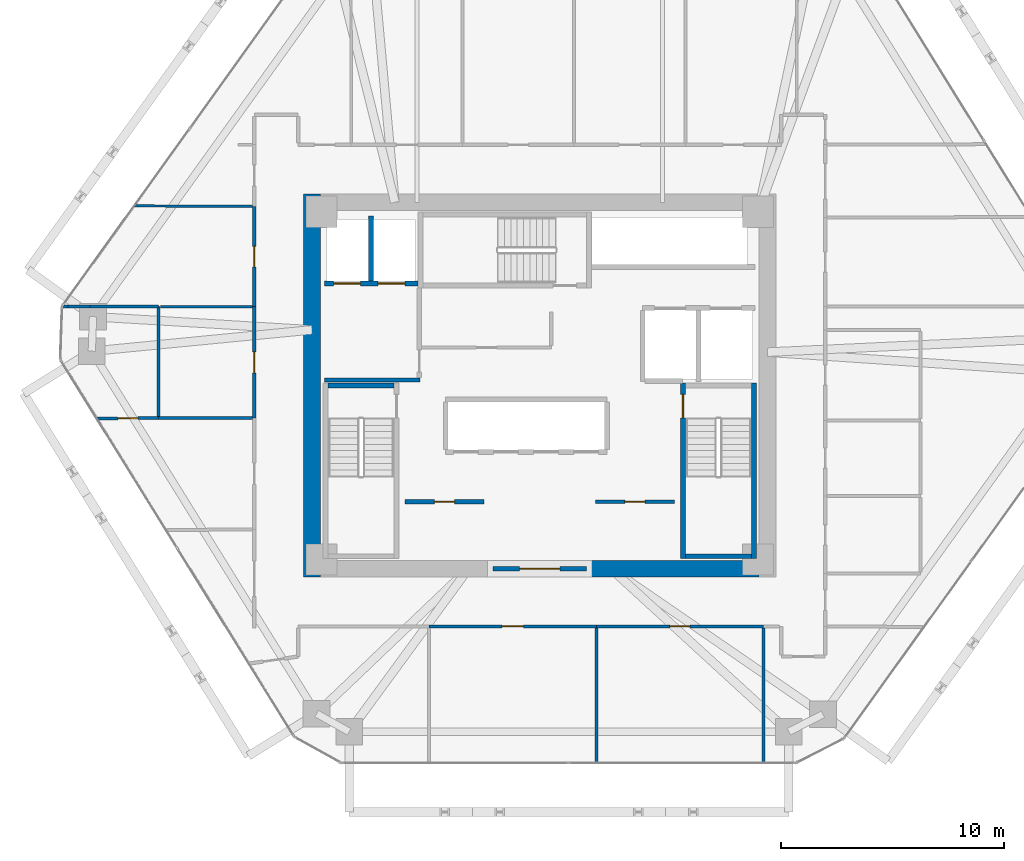
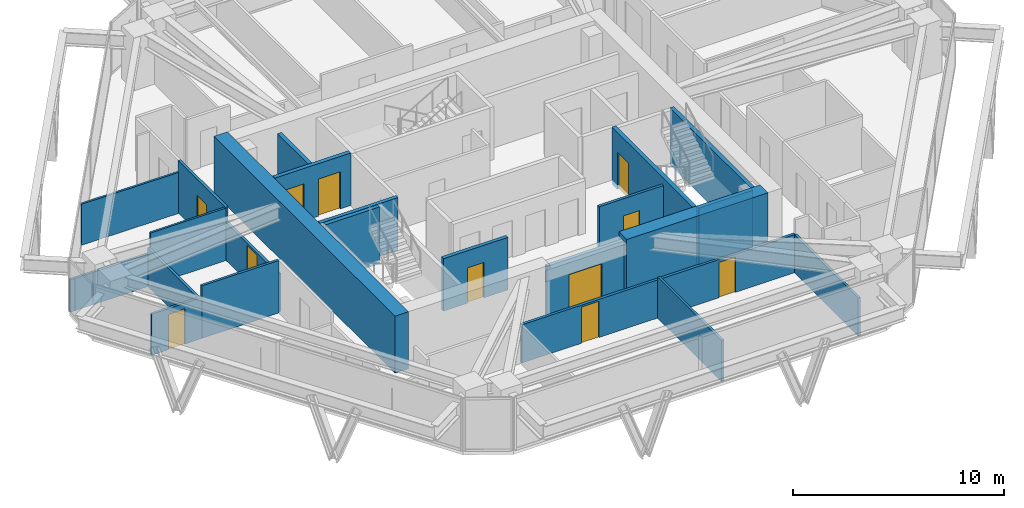
# One storey, part 10 of 14: 26 walls, 11 doors, 11 openings.
"""IFC4 building model written with IfcOpenShell, lengths in metres."""

from ifc_helpers import new_model, si_unit, direction, frame, frame_2d, origin, place, context, subcontext, project, spatial, rectangle, extrude, source, transform, mapped, material, layer, layer_set, type_object, type_shapes, element, fill, save


model = new_model("IFC4")

# Units and contexts
model_context = context("Model", 3, precision=1e-05, world=origin(), true_north=direction((0.0, 1.0)))
body_context = subcontext(model_context, "Body", "Model", "MODEL_VIEW")
ifc_project = project(units=[si_unit("LENGTHUNIT", "METRE"), si_unit("AREAUNIT", "SQUARE_METRE"), si_unit("VOLUMEUNIT", "CUBIC_METRE"), si_unit("PLANEANGLEUNIT", "RADIAN"), si_unit("MASSUNIT", "GRAM", prefix="KILO")], contexts=[model_context])

# Site, building, storey
site_placement = place(None, origin())
site = spatial("IfcSite", under=ifc_project, at=site_placement, CompositionType="ELEMENT")
building_placement = place(site_placement, origin())
building = spatial("IfcBuilding", under=site, at=building_placement, Name="Durnholm Broadcast Tower", CompositionType="ELEMENT")
storey_placement = place(building_placement, frame((0.0, 0.0, 127.199951171875)))
storey = spatial("IfcBuildingStorey", under=building, at=storey_placement, Name="L34", CompositionType="ELEMENT", Elevation=127.199951171875)

# Walls
ifc_material_1 = material(Name="Concrete C70/85", Category="concrete")
ifc_layer_1 = layer(ifc_material_1, 0.75)
ifc_layer_set_1 = layer_set([ifc_layer_1], Name="Concrete C70/85")
wall_type_1 = type_object("IfcWallType", Name="WALL-CW-750", PredefinedType="SHEAR", material=ifc_layer_set_1)
wall_1_placement = place(storey_placement, frame((-10.22509765625, -8.60009765625, 0.0), z_axis=(0.0, 0.0, 1.0), x_axis=(0.0, 1.0, 0.0)))
element("IfcWall", 1, at=wall_1_placement, inside=storey, type_object=wall_type_1, Name="L34 central core shear wall CW-WEST", PredefinedType="SHEAR", context=body_context, shape_type="SweptSolid", body=[
    extrude(rectangle(XDim=17.2001953125, YDim=0.75, at=frame_2d((8.60009765625, 0.0))), origin(), (0.0, 0.0, 1.0), 3.300048828125),
])
wall_2_placement = place(storey_placement, frame((2.10009765625, -8.22509765625, 0.0), z_axis=(0.0, 0.0, 1.0), x_axis=(1.0, 0.0, 0.0)))
element("IfcWall", 2, at=wall_2_placement, inside=storey, type_object=wall_type_1, Name="L34 central core shear wall CW-S2", PredefinedType="SHEAR", context=body_context, shape_type="SweptSolid", body=[
    extrude(rectangle(XDim=7.75, YDim=0.75, at=frame_2d((3.875, 0.0))), origin(), (0.0, 0.0, 1.0), 3.300048828125),
])

# Wall, opening, door
ifc_material_2 = material(Name="Fire-Rated Gypsum Shaftwall", Category="concrete")
ifc_layer_2 = layer(ifc_material_2, 0.199951171875)
ifc_layer_set_2 = layer_set([ifc_layer_2], Name="Fire-Rated Gypsum Shaftwall")
wall_type_2 = type_object("IfcWallType", Name="WALL-LOB-200", PredefinedType="SOLIDWALL", material=ifc_layer_set_2)
wall_3_placement = place(storey_placement, frame((-2.10009765625, -8.22509765625, 0.0), z_axis=(0.0, 0.0, 1.0), x_axis=(1.0, 0.0, 0.0)))
wall_3 = element("IfcWall", 3, at=wall_3_placement, inside=storey, type_object=wall_type_2, Name="L34 south core lobby fire screen", PredefinedType="SOLIDWALL", context=body_context, shape_type="SweptSolid", body=[
    extrude(rectangle(XDim=4.2001953125, YDim=0.199951171875, at=frame_2d((2.10009765625, 0.0))), origin(), (0.0, 0.0, 1.0), 3.045166015625),
])
opening_1_placement = place(wall_3_placement, frame((1.199951171875, 0.0, 0.0)))
opening_1 = element("IfcOpeningElement", 4, at=opening_1_placement, cuts=wall_3, Name="Opening DP-60", PredefinedType="OPENING", context=body_context, shape_type="SweptSolid", body=[
    extrude(rectangle(XDim=1.800048828125, YDim=2.14990234375, at=frame_2d((0.89990234375, 1.074951171875))), frame((0.0, 0.10986328125, 0.0), z_axis=(0.0, -1.0, 0.0), x_axis=(1.0, 0.0, 0.0)), (0.0, 0.0, 1.0), 0.219970703125),
])
ifc_material_3 = material(Name="Fire-Rated Double Corridor Door", Category="steel")
ifc_layer_3 = layer(ifc_material_3, 0.050048828125)
ifc_layer_set_3 = layer_set([ifc_layer_3], Name="Fire-Rated Double Corridor Door")
door_type_1 = type_object("IfcDoorType", Name="DOOR-PAIR-FD60", OperationType="DOUBLE_DOOR_SINGLE_SWING", PredefinedType="DOOR", material=ifc_layer_set_3)
shared_shape_1 = source(origin(), body_context, "Body", "SweptSolid", [
    extrude(rectangle(XDim=1.800048828125, YDim=2.14990234375, at=frame_2d((0.89990234375, 1.074951171875))), frame((0.0, 0.02490234375, 0.0), z_axis=(0.0, -1.0, 0.0), x_axis=(1.0, 0.0, 0.0)), (0.0, 0.0, 1.0), 0.050048828125),
])
type_shapes(door_type_1, [shared_shape_1])
door_1_placement = place(opening_1_placement, origin())
door_1 = element("IfcDoor", 5, at=door_1_placement, inside=storey, type_object=door_type_1, Name="L34 south core lobby double fire door", OperationType="DOUBLE_DOOR_SINGLE_SWING", OverallHeight=2.14990234375, OverallWidth=1.800048828125, PredefinedType="DOOR", context=body_context, shape_type="MappedRepresentation", body=[
    mapped(shared_shape_1, transform((0.0, 0.0, 0.0), x_axis=(1.0, 0.0, 0.0), y_axis=(0.0, 1.0, 0.0), z_axis=(0.0, 0.0, 1.0), scale=1.0)),
])
fill(opening_1, door_1)

# Wall
wall_4_placement = place(storey_placement, frame((-9.64990234375, 0.25, 0.0), z_axis=(0.0, 0.0, 1.0), x_axis=(1.0, 0.0, 0.0)))
element("IfcWall", 6, at=wall_4_placement, inside=storey, type_object=wall_type_2, Name="L34 Fire Service Access Elevator lobby south wall", PredefinedType="SOLIDWALL", context=body_context, shape_type="SweptSolid", body=[
    extrude(rectangle(XDim=4.27001953125, YDim=0.199951171875, at=frame_2d((2.135009765625, 0.0))), origin(), (0.0, 0.0, 1.0), 3.045166015625),
])

# Wall, opening, door
wall_5_placement = place(storey_placement, frame((-6.0400390625, -5.2099609375, 0.0), z_axis=(0.0, 0.0, 1.0), x_axis=(1.0, 0.0, 0.0)))
wall_5 = element("IfcWall", 7, at=wall_5_placement, inside=storey, type_object=wall_type_2, Name="L34 Broadcast Signal Rack Room corridor partition", PredefinedType="SOLIDWALL", context=body_context, shape_type="SweptSolid", body=[
    extrude(rectangle(XDim=3.530029296875, YDim=0.199951171875, at=frame_2d((1.76513671875, 0.0))), origin(), (0.0, 0.0, 1.0), 3.045166015625),
])
opening_2_placement = place(wall_5_placement, frame((1.31494140625, 0.0, 0.0)))
opening_2 = element("IfcOpeningElement", 8, at=opening_2_placement, cuts=wall_5, Name="Opening DC-60R", PredefinedType="OPENING", context=body_context, shape_type="SweptSolid", body=[
    extrude(rectangle(XDim=0.89990234375, YDim=2.050048828125, at=frame_2d((0.449951171875, 1.02490234375))), frame((0.0, 0.10986328125, 0.0), z_axis=(0.0, -1.0, 0.0), x_axis=(1.0, 0.0, 0.0)), (0.0, 0.0, 1.0), 0.219970703125),
])
ifc_material_4 = material(Name="Fire-Rated Core Service Door", Category="steel")
ifc_layer_4 = layer(ifc_material_4, 0.050048828125)
ifc_layer_set_4 = layer_set([ifc_layer_4], Name="Fire-Rated Core Service Door")
door_type_2 = type_object("IfcDoorType", Name="DOOR-CORE-FD60-R", OperationType="NOTDEFINED", PredefinedType="DOOR", material=ifc_layer_set_4)
shared_shape_2 = source(origin(), body_context, "Body", "SweptSolid", [
    extrude(rectangle(XDim=0.89990234375, YDim=2.050048828125, at=frame_2d((0.449951171875, 1.02490234375))), frame((0.0, 0.02490234375, 0.0), z_axis=(0.0, -1.0, 0.0), x_axis=(1.0, 0.0, 0.0)), (0.0, 0.0, 1.0), 0.050048828125),
])
type_shapes(door_type_2, [shared_shape_2])
door_2_placement = place(opening_2_placement, origin())
door_2 = element("IfcDoor", 9, at=door_2_placement, inside=storey, type_object=door_type_2, Name="L34 Broadcast Signal Rack Room entrance door", OperationType="SINGLE_SWING_RIGHT", OverallHeight=2.050048828125, OverallWidth=0.89990234375, PredefinedType="DOOR", context=body_context, shape_type="MappedRepresentation", body=[
    mapped(shared_shape_2, transform((0.0, 0.0, 0.0), x_axis=(1.0, 0.0, 0.0), y_axis=(0.0, 1.0, 0.0), z_axis=(0.0, 0.0, 1.0), scale=1.0)),
])
fill(opening_2, door_2)

# Walls
ifc_material_5 = material(Name="Operable Acoustic Panel Partition", Category="aluminium")
ifc_layer_5 = layer(ifc_material_5, 0.110107421875)
ifc_layer_set_5 = layer_set([ifc_layer_5], Name="Operable Acoustic Panel Partition")
wall_type_3 = type_object("IfcWallType", Name="WALL-MOV-110", PredefinedType="MOVABLE", material=ifc_layer_set_5)
wall_6_placement = place(storey_placement, frame((-17.031494140625, 3.5400390625, 0.0), z_axis=(0.0, 0.0, 1.0), x_axis=(1.0, 0.0, 0.0)))
element("IfcWall", 10, at=wall_6_placement, inside=storey, type_object=wall_type_3, Name="L34 room dividing partition 20.21", PredefinedType="MOVABLE", context=body_context, shape_type="SweptSolid", body=[
    extrude(rectangle(XDim=4.142578125, YDim=0.110107421875, at=frame_2d((2.0712890625, 0.0))), origin(), (0.0, 0.0, 1.0), 3.045166015625),
])
wall_7_placement = place(storey_placement, frame((-18.201904296875, 8.063232421875, 0.0), z_axis=(0.0, 0.0, 1.0), x_axis=(0.999990671281, -0.004319415637, 0.0)))
element("IfcWall", 11, at=wall_7_placement, inside=storey, type_object=wall_type_3, Name="L34 room dividing partition 21.22", PredefinedType="MOVABLE", context=body_context, shape_type="SweptSolid", body=[
    extrude(rectangle(XDim=5.31298828125, YDim=0.110107421875, at=frame_2d((2.656494140625, 0.0))), origin(), (0.0, 0.0, 1.0), 2.380126953125),
])
ifc_material_6 = material(Name="Gypsum Metal Stud Partition", Category="concrete")
ifc_layer_6 = layer(ifc_material_6, 0.135009765625)
ifc_layer_set_6 = layer_set([ifc_layer_6], Name="Gypsum Metal Stud Partition")
wall_type_4 = type_object("IfcWallType", Name="WALL-PART-135", PredefinedType="PARTITIONING", material=ifc_layer_set_6)
wall_8_placement = place(storey_placement, frame((2.5400390625, -10.888916015625, 0.0), z_axis=(0.0, 0.0, 1.0), x_axis=(0.0, -1.0, 0.0)))
element("IfcWall", 12, at=wall_8_placement, inside=storey, type_object=wall_type_4, Name="L34 room dividing partition 14.15", PredefinedType="PARTITIONING", context=body_context, shape_type="SweptSolid", body=[
    extrude(rectangle(XDim=6.048095703125, YDim=0.135009765625, at=frame_2d((3.02392578125, 0.0))), origin(), (0.0, 0.0, 1.0), 2.380126953125),
])
wall_9_placement = place(storey_placement, frame((10.0400390625, -10.888916015625, 0.0), z_axis=(0.0, 0.0, 1.0), x_axis=(0.0, -1.0, 0.0)))
element("IfcWall", 13, at=wall_9_placement, inside=storey, type_object=wall_type_4, Name="L34 room dividing partition 15.16", PredefinedType="PARTITIONING", context=body_context, shape_type="SweptSolid", body=[
    extrude(rectangle(XDim=6.048095703125, YDim=0.135009765625, at=frame_2d((3.02392578125, 0.0))), origin(), (0.0, 0.0, 1.0), 2.212158203125),
])

# Wall, opening, door
wall_10_placement = place(storey_placement, frame((-19.87548828125, -1.481201171875, 0.0), z_axis=(0.0, 0.0, 1.0), x_axis=(0.999970654695, 0.007660923473, 0.0)))
wall_10 = element("IfcWall", 14, at=wall_10_placement, inside=storey, type_object=wall_type_4, Name="L34 room dividing partition 18.19", PredefinedType="PARTITIONING", context=body_context, shape_type="SweptSolid", body=[
    extrude(rectangle(XDim=2.7724609375, YDim=0.135009765625, at=frame_2d((1.38623046875, 0.0))), origin(), (0.0, 0.0, 1.0), 2.380126953125),
])
opening_3_placement = place(wall_10_placement, frame((0.936279296875, 0.0, 0.0)))
opening_3 = element("IfcOpeningElement", 15, at=opening_3_placement, cuts=wall_10, Name="Opening DW-90L", PredefinedType="OPENING", context=body_context, shape_type="SweptSolid", body=[
    extrude(rectangle(XDim=0.89990234375, YDim=2.050048828125, at=frame_2d((0.449951171875, 1.02490234375))), frame((0.0, 0.07763671875, 0.0), z_axis=(0.0, -1.0, 0.0), x_axis=(1.0, 0.0, 0.0)), (0.0, 0.0, 1.0), 0.155029296875),
])
ifc_material_7 = material(Name="Laminate Restroom Door", Category="steel")
ifc_layer_7 = layer(ifc_material_7, 0.050048828125)
ifc_layer_set_7 = layer_set([ifc_layer_7], Name="Laminate Restroom Door")
door_type_3 = type_object("IfcDoorType", Name="DOOR-WC-900L", OperationType="NOTDEFINED", PredefinedType="DOOR", material=ifc_layer_set_7)
shared_shape_3 = source(origin(), body_context, "Body", "SweptSolid", [
    extrude(rectangle(XDim=0.89990234375, YDim=2.050048828125, at=frame_2d((0.449951171875, 1.02490234375))), frame((0.0, 0.02490234375, 0.0), z_axis=(0.0, -1.0, 0.0), x_axis=(1.0, 0.0, 0.0)), (0.0, 0.0, 1.0), 0.050048828125),
])
type_shapes(door_type_3, [shared_shape_3])
door_3_placement = place(opening_3_placement, origin())
door_3 = element("IfcDoor", 16, at=door_3_placement, inside=storey, type_object=door_type_3, Name="L34 Audio Lounge connecting door", OperationType="SINGLE_SWING_LEFT", OverallHeight=2.050048828125, OverallWidth=0.89990234375, PredefinedType="DOOR", context=body_context, shape_type="MappedRepresentation", body=[
    mapped(shared_shape_3, transform((0.0, 0.0, 0.0), x_axis=(1.0, 0.0, 0.0), y_axis=(0.0, 1.0, 0.0), z_axis=(0.0, 0.0, 1.0), scale=1.0)),
])
fill(opening_3, door_3)

# Walls
wall_11_placement = place(storey_placement, frame((-17.10302734375, -1.4599609375, 0.0), z_axis=(0.0, 0.0, 1.0), x_axis=(1.0, 0.0, 0.0)))
element("IfcWall", 17, at=wall_11_placement, inside=storey, type_object=wall_type_4, Name="L34 room dividing partition 18.20", PredefinedType="PARTITIONING", context=body_context, shape_type="SweptSolid", body=[
    extrude(rectangle(XDim=4.214111328125, YDim=0.135009765625, at=frame_2d((2.10693359375, 0.0))), origin(), (0.0, 0.0, 1.0), 3.045166015625),
])
wall_12_placement = place(storey_placement, frame((-17.10302734375, 3.5400390625, 0.0), z_axis=(0.0, 0.0, 1.0), x_axis=(0.0, -1.0, 0.0)))
element("IfcWall", 18, at=wall_12_placement, inside=storey, type_object=wall_type_4, Name="L34 room dividing partition 19.20", PredefinedType="PARTITIONING", context=body_context, shape_type="SweptSolid", body=[
    extrude(rectangle(XDim=4.928466796875, YDim=0.135009765625, at=frame_2d((2.46435546875, 0.0))), origin(), (0.0, 0.0, 1.0), 2.212158203125),
])
wall_13_placement = place(storey_placement, frame((-21.435546875, 3.54150390625, 0.0), z_axis=(0.0, 0.0, 1.0), x_axis=(0.999999550774, -0.000947866873, 0.0)))
element("IfcWall", 19, at=wall_13_placement, inside=storey, type_object=wall_type_4, Name="L34 room dividing partition 19.21", PredefinedType="PARTITIONING", context=body_context, shape_type="SweptSolid", body=[
    extrude(rectangle(XDim=0.257568359375, YDim=0.135009765625, at=frame_2d((0.12890625, 0.0))), origin(), (0.0, 0.0, 1.0), 1.876953125),
])
wall_14_placement = place(storey_placement, frame((-20.175048828125, 3.541015625, 0.0), z_axis=(0.0, 0.0, 1.0), x_axis=(0.999999949473, -0.0003178892, 0.0)))
element("IfcWall", 20, at=wall_14_placement, inside=storey, type_object=wall_type_4, Name="L34 room dividing partition 19.21", PredefinedType="PARTITIONING", context=body_context, shape_type="SweptSolid", body=[
    extrude(rectangle(XDim=3.072021484375, YDim=0.135009765625, at=frame_2d((1.5361328125, 0.0))), origin(), (0.0, 0.0, 1.0), 1.876953125),
])
wall_15_placement = place(storey_placement, frame((-21.177978515625, 3.541259765625, 0.0), z_axis=(0.0, 0.0, 1.0), x_axis=(0.999999970372, -0.000243427451, 0.0)))
element("IfcWall", 21, at=wall_15_placement, inside=storey, type_object=wall_type_4, Name="L34 room dividing partition 19.21", PredefinedType="PARTITIONING", context=body_context, shape_type="SweptSolid", body=[
    extrude(rectangle(XDim=1.0029296875, YDim=0.135009765625, at=frame_2d((0.50146484375, 0.0))), origin(), (0.0, 0.0, 1.0), 1.876953125),
])

# Wall, opening, door
ifc_material_8 = material(Name="Acoustic Gypsum Stud Partition", Category="concrete")
ifc_layer_8 = layer(ifc_material_8, 0.14990234375)
ifc_layer_set_8 = layer_set([ifc_layer_8], Name="Acoustic Gypsum Stud Partition")
wall_type_5 = type_object("IfcWallType", Name="WALL-PART-150", PredefinedType="PARTITIONING", material=ifc_layer_set_8)
wall_16_placement = place(storey_placement, frame((2.510009765625, -5.2099609375, 0.0), z_axis=(0.0, 0.0, 1.0), x_axis=(1.0, 0.0, 0.0)))
wall_16 = element("IfcWall", 22, at=wall_16_placement, inside=storey, type_object=wall_type_5, Name="L34 Editorial Beverage Pantry corridor partition", PredefinedType="PARTITIONING", context=body_context, shape_type="SweptSolid", body=[
    extrude(rectangle(XDim=3.530029296875, YDim=0.14990234375, at=frame_2d((1.76513671875, 0.0))), origin(), (0.0, 0.0, 1.0), 3.045166015625),
])
opening_4_placement = place(wall_16_placement, frame((1.31494140625, 0.0, 0.0)))
opening_4 = element("IfcOpeningElement", 23, at=opening_4_placement, cuts=wall_16, Name="Opening DC-60L", PredefinedType="OPENING", context=body_context, shape_type="SweptSolid", body=[
    extrude(rectangle(XDim=0.89990234375, YDim=2.050048828125, at=frame_2d((0.449951171875, 1.02490234375))), frame((0.0, 0.0849609375, 0.0), z_axis=(0.0, -1.0, 0.0), x_axis=(1.0, 0.0, 0.0)), (0.0, 0.0, 1.0), 0.169921875),
])
ifc_layer_9 = layer(ifc_material_4, 0.050048828125)
ifc_layer_set_9 = layer_set([ifc_layer_9], Name="Fire-Rated Core Service Door")
door_type_4 = type_object("IfcDoorType", Name="DOOR-CORE-FD60-L", OperationType="NOTDEFINED", PredefinedType="DOOR", material=ifc_layer_set_9)
shared_shape_4 = source(origin(), body_context, "Body", "SweptSolid", [
    extrude(rectangle(XDim=0.89990234375, YDim=2.050048828125, at=frame_2d((0.449951171875, 1.02490234375))), frame((0.0, 0.02490234375, 0.0), z_axis=(0.0, -1.0, 0.0), x_axis=(1.0, 0.0, 0.0)), (0.0, 0.0, 1.0), 0.050048828125),
])
type_shapes(door_type_4, [shared_shape_4])
door_4_placement = place(opening_4_placement, origin())
door_4 = element("IfcDoor", 24, at=door_4_placement, inside=storey, type_object=door_type_4, Name="L34 Editorial Beverage Pantry entrance door", OperationType="SINGLE_SWING_LEFT", OverallHeight=2.050048828125, OverallWidth=0.89990234375, PredefinedType="DOOR", context=body_context, shape_type="MappedRepresentation", body=[
    mapped(shared_shape_4, transform((0.0, 0.0, 0.0), x_axis=(1.0, 0.0, 0.0), y_axis=(0.0, 1.0, 0.0), z_axis=(0.0, 0.0, 1.0), scale=1.0)),
])
fill(opening_4, door_4)

wall_17_placement = place(storey_placement, frame((-4.9599609375, -10.81005859375, 0.0), z_axis=(0.0, 0.0, 1.0), x_axis=(1.0, 0.0, 0.0)))
wall_17 = element("IfcWall", 25, at=wall_17_placement, inside=storey, type_object=wall_type_5, Name="L34 Sound Effects Lounge corridor partition", PredefinedType="PARTITIONING", context=body_context, shape_type="SweptSolid", body=[
    extrude(rectangle(XDim=7.5, YDim=0.14990234375, at=frame_2d((3.75, 0.0))), origin(), (0.0, 0.0, 1.0), 2.212158203125),
])
opening_5_placement = place(wall_17_placement, frame((3.27490234375, 0.0, 0.0)))
opening_5 = element("IfcOpeningElement", 26, at=opening_5_placement, cuts=wall_17, Name="Opening DR-95L", PredefinedType="OPENING", context=body_context, shape_type="SweptSolid", body=[
    extrude(rectangle(XDim=0.949951171875, YDim=2.10009765625, at=frame_2d((0.47509765625, 1.050048828125))), frame((0.0, 0.0849609375, 0.0), z_axis=(0.0, -1.0, 0.0), x_axis=(1.0, 0.0, 0.0)), (0.0, 0.0, 1.0), 0.169921875),
])
ifc_material_9 = material(Name="Acoustic Oak Veneer Timber Door", Category="wood")
ifc_layer_10 = layer(ifc_material_9, 0.050048828125)
ifc_layer_set_10 = layer_set([ifc_layer_10], Name="Acoustic Oak Veneer Timber Door")
door_type_5 = type_object("IfcDoorType", Name="DOOR-RM-950L", OperationType="NOTDEFINED", PredefinedType="DOOR", material=ifc_layer_set_10)
shared_shape_5 = source(origin(), body_context, "Body", "SweptSolid", [
    extrude(rectangle(XDim=0.949951171875, YDim=2.10009765625, at=frame_2d((0.47509765625, 1.050048828125))), frame((0.0, 0.02490234375, 0.0), z_axis=(0.0, -1.0, 0.0), x_axis=(1.0, 0.0, 0.0)), (0.0, 0.0, 1.0), 0.050048828125),
])
type_shapes(door_type_5, [shared_shape_5])
door_5_placement = place(opening_5_placement, origin())
door_5 = element("IfcDoor", 27, at=door_5_placement, inside=storey, type_object=door_type_5, Name="L34 Sound Effects Lounge entrance door", OperationType="SINGLE_SWING_LEFT", OverallHeight=2.10009765625, OverallWidth=0.949951171875, PredefinedType="DOOR", context=body_context, shape_type="MappedRepresentation", body=[
    mapped(shared_shape_5, transform((0.0, 0.0, 0.0), x_axis=(1.0, 0.0, 0.0), y_axis=(0.0, 1.0, 0.0), z_axis=(0.0, 0.0, 1.0), scale=1.0)),
])
fill(opening_5, door_5)

wall_18_placement = place(storey_placement, frame((2.5400390625, -10.81005859375, 0.0), z_axis=(0.0, 0.0, 1.0), x_axis=(1.0, 0.0, 0.0)))
wall_18 = element("IfcWall", 28, at=wall_18_placement, inside=storey, type_object=wall_type_5, Name="L34 Music Library Store corridor partition", PredefinedType="PARTITIONING", context=body_context, shape_type="SweptSolid", body=[
    extrude(rectangle(XDim=7.5, YDim=0.14990234375, at=frame_2d((3.75, 0.0))), origin(), (0.0, 0.0, 1.0), 2.212158203125),
])
opening_6_placement = place(wall_18_placement, frame((3.300048828125, 0.0, 0.0)))
opening_6 = element("IfcOpeningElement", 29, at=opening_6_placement, cuts=wall_18, Name="Opening DC-60R", PredefinedType="OPENING", context=body_context, shape_type="SweptSolid", body=[
    extrude(rectangle(XDim=0.89990234375, YDim=2.050048828125, at=frame_2d((0.449951171875, 1.02490234375))), frame((0.0, 0.0849609375, 0.0), z_axis=(0.0, -1.0, 0.0), x_axis=(1.0, 0.0, 0.0)), (0.0, 0.0, 1.0), 0.169921875),
])
door_6_placement = place(opening_6_placement, origin())
door_6 = element("IfcDoor", 30, at=door_6_placement, inside=storey, type_object=door_type_2, Name="L34 Music Library Store entrance door", OperationType="SINGLE_SWING_RIGHT", OverallHeight=2.050048828125, OverallWidth=0.89990234375, PredefinedType="DOOR", context=body_context, shape_type="MappedRepresentation", body=[
    mapped(shared_shape_2, transform((0.0, 0.0, 0.0), x_axis=(1.0, 0.0, 0.0), y_axis=(0.0, 1.0, 0.0), z_axis=(0.0, 0.0, 1.0), scale=1.0)),
])
fill(opening_6, door_6)

wall_19_placement = place(storey_placement, frame((-12.81005859375, 3.5400390625, 0.0), z_axis=(0.0, 0.0, 1.0), x_axis=(0.0, -1.0, 0.0)))
wall_19 = element("IfcWall", 31, at=wall_19_placement, inside=storey, type_object=wall_type_5, Name="L34 Acoustic Meeting Room 1 corridor partition", PredefinedType="PARTITIONING", context=body_context, shape_type="SweptSolid", body=[
    extrude(rectangle(XDim=5.0, YDim=0.14990234375, at=frame_2d((2.5, 0.0))), origin(), (0.0, 0.0, 1.0), 2.212158203125),
])
opening_7_placement = place(wall_19_placement, frame((2.02490234375, 0.0, 0.0)))
opening_7 = element("IfcOpeningElement", 32, at=opening_7_placement, cuts=wall_19, Name="Opening DR-95R", PredefinedType="OPENING", context=body_context, shape_type="SweptSolid", body=[
    extrude(rectangle(XDim=0.949951171875, YDim=2.10009765625, at=frame_2d((0.47509765625, 1.050048828125))), frame((0.0, 0.0849609375, 0.0), z_axis=(0.0, -1.0, 0.0), x_axis=(1.0, 0.0, 0.0)), (0.0, 0.0, 1.0), 0.169921875),
])
ifc_layer_11 = layer(ifc_material_9, 0.050048828125)
ifc_layer_set_11 = layer_set([ifc_layer_11], Name="Acoustic Oak Veneer Timber Door")
door_type_6 = type_object("IfcDoorType", Name="DOOR-RM-950R", OperationType="NOTDEFINED", PredefinedType="DOOR", material=ifc_layer_set_11)
shared_shape_6 = source(origin(), body_context, "Body", "SweptSolid", [
    extrude(rectangle(XDim=0.949951171875, YDim=2.10009765625, at=frame_2d((0.47509765625, 1.050048828125))), frame((0.0, 0.02490234375, 0.0), z_axis=(0.0, -1.0, 0.0), x_axis=(1.0, 0.0, 0.0)), (0.0, 0.0, 1.0), 0.050048828125),
])
type_shapes(door_type_6, [shared_shape_6])
door_7_placement = place(opening_7_placement, origin())
door_7 = element("IfcDoor", 33, at=door_7_placement, inside=storey, type_object=door_type_6, Name="L34 Acoustic Meeting Room 1 entrance door", OperationType="SINGLE_SWING_RIGHT", OverallHeight=2.10009765625, OverallWidth=0.949951171875, PredefinedType="DOOR", context=body_context, shape_type="MappedRepresentation", body=[
    mapped(shared_shape_6, transform((0.0, 0.0, 0.0), x_axis=(1.0, 0.0, 0.0), y_axis=(0.0, 1.0, 0.0), z_axis=(0.0, 0.0, 1.0), scale=1.0)),
])
fill(opening_7, door_7)

wall_20_placement = place(storey_placement, frame((-12.81005859375, 8.0400390625, 0.0), z_axis=(0.0, 0.0, 1.0), x_axis=(0.0, -1.0, 0.0)))
wall_20 = element("IfcWall", 34, at=wall_20_placement, inside=storey, type_object=wall_type_5, Name="L34 Acoustic Meeting Room 2 corridor partition", PredefinedType="PARTITIONING", context=body_context, shape_type="SweptSolid", body=[
    extrude(rectangle(XDim=4.5, YDim=0.14990234375, at=frame_2d((2.25, 0.0))), origin(), (0.0, 0.0, 1.0), 3.045166015625),
])
opening_8_placement = place(wall_20_placement, frame((1.7900390625, 0.0, 0.0)))
opening_8 = element("IfcOpeningElement", 35, at=opening_8_placement, cuts=wall_20, Name="Opening DR-92L", PredefinedType="OPENING", context=body_context, shape_type="SweptSolid", body=[
    extrude(rectangle(XDim=0.919921875, YDim=2.10009765625, at=frame_2d((0.4599609375, 1.050048828125))), frame((0.0, 0.0849609375, 0.0), z_axis=(0.0, -1.0, 0.0), x_axis=(1.0, 0.0, 0.0)), (0.0, 0.0, 1.0), 0.169921875),
])
ifc_material_10 = material(Name="Oak Veneer Office Door", Category="wood")
ifc_layer_12 = layer(ifc_material_10, 0.050048828125)
ifc_layer_set_12 = layer_set([ifc_layer_12], Name="Oak Veneer Office Door")
door_type_7 = type_object("IfcDoorType", Name="DOOR-RM-920L", OperationType="NOTDEFINED", PredefinedType="DOOR", material=ifc_layer_set_12)
shared_shape_7 = source(origin(), body_context, "Body", "SweptSolid", [
    extrude(rectangle(XDim=0.919921875, YDim=2.10009765625, at=frame_2d((0.4599609375, 1.050048828125))), frame((0.0, 0.02490234375, 0.0), z_axis=(0.0, -1.0, 0.0), x_axis=(1.0, 0.0, 0.0)), (0.0, 0.0, 1.0), 0.050048828125),
])
type_shapes(door_type_7, [shared_shape_7])
door_8_placement = place(opening_8_placement, origin())
door_8 = element("IfcDoor", 36, at=door_8_placement, inside=storey, type_object=door_type_7, Name="L34 Acoustic Meeting Room 2 entrance door", OperationType="SINGLE_SWING_LEFT", OverallHeight=2.10009765625, OverallWidth=0.919921875, PredefinedType="DOOR", context=body_context, shape_type="MappedRepresentation", body=[
    mapped(shared_shape_7, transform((0.0, 0.0, 0.0), x_axis=(1.0, 0.0, 0.0), y_axis=(0.0, 1.0, 0.0), z_axis=(0.0, 0.0, 1.0), scale=1.0)),
])
fill(opening_8, door_8)

# Wall, openings, doors
ifc_material_11 = material(Name="Concrete Blockwork C30/37", Category="masonry")
ifc_layer_13 = layer(ifc_material_11, 0.219970703125)
ifc_layer_set_13 = layer_set([ifc_layer_13], Name="Concrete Blockwork C30/37")
wall_type_6 = type_object("IfcWallType", Name="WALL-SHAFT-220", PredefinedType="SOLIDWALL", material=ifc_layer_set_13)
wall_21_placement = place(storey_placement, frame((-9.64990234375, 4.580078125, 0.0), z_axis=(0.0, 0.0, 1.0), x_axis=(1.0, 0.0, 0.0)))
wall_21 = element("IfcWall", 37, at=wall_21_placement, inside=storey, type_object=wall_type_6, Name="L34 FSAE hoistway front fire wall", PredefinedType="SOLIDWALL", context=body_context, shape_type="SweptSolid", body=[
    extrude(rectangle(XDim=4.1748046875, YDim=0.219970703125, at=frame_2d((2.08740234375, 0.0))), origin(), (0.0, 0.0, 1.0), 3.045166015625),
])
opening_9_placement = place(wall_21_placement, frame((0.39990234375, 0.0, 0.0)))
opening_9 = element("IfcOpeningElement", 38, at=opening_9_placement, cuts=wall_21, Name="Opening LD-FSAE-2", PredefinedType="OPENING", context=body_context, shape_type="SweptSolid", body=[
    extrude(rectangle(XDim=1.199951171875, YDim=2.14990234375, at=frame_2d((0.60009765625, 1.074951171875))), frame((0.0, 0.1201171875, 0.0), z_axis=(0.0, -1.0, 0.0), x_axis=(1.0, 0.0, 0.0)), (0.0, 0.0, 1.0), 0.239990234375),
])
opening_10_placement = place(wall_21_placement, frame((2.39990234375, 0.0, 0.0)))
opening_10 = element("IfcOpeningElement", 39, at=opening_10_placement, cuts=wall_21, Name="Opening LD-FSAE-1", PredefinedType="OPENING", context=body_context, shape_type="SweptSolid", body=[
    extrude(rectangle(XDim=1.199951171875, YDim=2.14990234375, at=frame_2d((0.60009765625, 1.074951171875))), frame((0.0, 0.1201171875, 0.0), z_axis=(0.0, -1.0, 0.0), x_axis=(1.0, 0.0, 0.0)), (0.0, 0.0, 1.0), 0.239990234375),
])
ifc_material_12 = material(Name="Fire Service Access Sliding Landing Door", Category="steel")
ifc_layer_14 = layer(ifc_material_12, 0.050048828125)
ifc_layer_set_14 = layer_set([ifc_layer_14], Name="Fire Service Access Sliding Landing Door")
door_type_8 = type_object("IfcDoorType", Name="DOOR-LIFT-FSAE", OperationType="DOUBLE_DOOR_SLIDING", PredefinedType="DOOR", material=ifc_layer_set_14)
shared_shape_8 = source(origin(), body_context, "Body", "SweptSolid", [
    extrude(rectangle(XDim=1.199951171875, YDim=2.14990234375, at=frame_2d((0.60009765625, 1.074951171875))), frame((0.0, 0.02490234375, 0.0), z_axis=(0.0, -1.0, 0.0), x_axis=(1.0, 0.0, 0.0)), (0.0, 0.0, 1.0), 0.050048828125),
])
type_shapes(door_type_8, [shared_shape_8])
door_9_placement = place(opening_9_placement, origin())
door_9 = element("IfcDoor", 40, at=door_9_placement, inside=storey, type_object=door_type_8, Name="L34 Fire Service Access Elevator FSAE-2 sliding landing door", OperationType="DOUBLE_DOOR_SLIDING", OverallHeight=2.14990234375, OverallWidth=1.199951171875, PredefinedType="DOOR", context=body_context, shape_type="MappedRepresentation", body=[
    mapped(shared_shape_8, transform((0.0, 0.0, 0.0), x_axis=(1.0, 0.0, 0.0), y_axis=(0.0, 1.0, 0.0), z_axis=(0.0, 0.0, 1.0), scale=1.0)),
])
fill(opening_9, door_9)
door_10_placement = place(opening_10_placement, origin())
door_10 = element("IfcDoor", 41, at=door_10_placement, inside=storey, type_object=door_type_8, Name="L34 Fire Service Access Elevator FSAE-1 sliding landing door", OperationType="DOUBLE_DOOR_SLIDING", OverallHeight=2.14990234375, OverallWidth=1.199951171875, PredefinedType="DOOR", context=body_context, shape_type="MappedRepresentation", body=[
    mapped(shared_shape_8, transform((0.0, 0.0, 0.0), x_axis=(1.0, 0.0, 0.0), y_axis=(0.0, 1.0, 0.0), z_axis=(0.0, 0.0, 1.0), scale=1.0)),
])
fill(opening_10, door_10)

# Walls
wall_22_placement = place(storey_placement, frame((-7.580078125, 4.694091796875, 0.0), z_axis=(0.0, 0.0, 1.0), x_axis=(0.0, 1.0, 0.0)))
element("IfcWall", 42, at=wall_22_placement, inside=storey, type_object=wall_type_6, Name="L34 FSAE shaft divider wall", PredefinedType="SOLIDWALL", context=body_context, shape_type="SweptSolid", body=[
    extrude(rectangle(XDim=2.906005859375, YDim=0.219970703125, at=frame_2d((1.453125, 0.0))), origin(), (0.0, 0.0, 1.0), 3.045166015625),
])
ifc_material_13 = material(Name="Concrete C50/60", Category="concrete")
ifc_layer_15 = layer(ifc_material_13, 0.219970703125)
ifc_layer_set_15 = layer_set([ifc_layer_15], Name="Concrete C50/60")
wall_type_7 = type_object("IfcWallType", Name="WALL-SW-220", PredefinedType="SHEAR", material=ifc_layer_set_15)
wall_23_placement = place(storey_placement, frame((-6.5400390625, 0.010009765625, -0.239990234375), z_axis=(0.0, 0.0, 1.0), x_axis=(-1.0, 0.0, 0.0)))
element("IfcWall", 43, at=wall_23_placement, inside=storey, type_object=wall_type_7, Name="L34 stair ST-1 structural shaft wall N", PredefinedType="SHEAR", context=body_context, shape_type="SweptSolid", body=[
    extrude(rectangle(XDim=2.9599609375, YDim=0.219970703125, at=frame_2d((1.47998046875, 0.0))), origin(), (0.0, 0.0, 1.0), 3.300048828125),
])
wall_24_placement = place(storey_placement, frame((9.610107421875, -7.77001953125, -0.239990234375), z_axis=(0.0, 0.0, 1.0), x_axis=(0.0, 1.0, 0.0)))
element("IfcWall", 44, at=wall_24_placement, inside=storey, type_object=wall_type_7, Name="L34 stair ST-2 structural shaft wall E", PredefinedType="SHEAR", context=body_context, shape_type="SweptSolid", body=[
    extrude(rectangle(XDim=7.89013671875, YDim=0.219970703125, at=frame_2d((3.945068359375, 0.0))), origin(), (0.0, 0.0, 1.0), 3.300048828125),
])

# Wall, opening, door
wall_25_placement = place(storey_placement, frame((6.429931640625, 0.1201171875, -0.239990234375), z_axis=(0.0, 0.0, 1.0), x_axis=(0.0, -1.0, 0.0)))
wall_25 = element("IfcWall", 45, at=wall_25_placement, inside=storey, type_object=wall_type_7, Name="L34 stair ST-2 structural shaft wall W", PredefinedType="SHEAR", context=body_context, shape_type="SweptSolid", body=[
    extrude(rectangle(XDim=7.89013671875, YDim=0.219970703125, at=frame_2d((3.945068359375, 0.0))), origin(), (0.0, 0.0, 1.0), 3.300048828125),
])
opening_11_placement = place(wall_25_placement, frame((0.52001953125, 0.0, 0.0)))
opening_11 = element("IfcOpeningElement", 46, at=opening_11_placement, cuts=wall_25, Name="Opening DS-90R", PredefinedType="OPENING", context=body_context, shape_type="SweptSolid", body=[
    extrude(rectangle(XDim=1.050048828125, YDim=2.14990234375, at=frame_2d((0.52490234375, 1.074951171875))), frame((0.0, 0.1201171875, 0.0), z_axis=(0.0, -1.0, 0.0), x_axis=(1.0, 0.0, 0.0)), (0.0, 0.0, 1.0), 0.239990234375),
])
ifc_material_14 = material(Name="Fire-Rated Steel Door", Category="steel")
ifc_layer_16 = layer(ifc_material_14, 0.050048828125)
ifc_layer_set_16 = layer_set([ifc_layer_16], Name="Fire-Rated Steel Door")
door_type_9 = type_object("IfcDoorType", Name="DOOR-ST-FD90-R", OperationType="NOTDEFINED", PredefinedType="DOOR", material=ifc_layer_set_16)
shared_shape_9 = source(origin(), body_context, "Body", "SweptSolid", [
    extrude(rectangle(XDim=1.050048828125, YDim=2.14990234375, at=frame_2d((0.52490234375, 1.074951171875))), frame((0.0, 0.02490234375, 0.0), z_axis=(0.0, -1.0, 0.0), x_axis=(1.0, 0.0, 0.0)), (0.0, 0.0, 1.0), 0.050048828125),
])
type_shapes(door_type_9, [shared_shape_9])
door_11_placement = place(opening_11_placement, origin())
door_11 = element("IfcDoor", 47, at=door_11_placement, inside=storey, type_object=door_type_9, Name="L34 exit stair ST-2 fire door", OperationType="SINGLE_SWING_RIGHT", OverallHeight=2.14990234375, OverallWidth=1.050048828125, PredefinedType="DOOR", context=body_context, shape_type="MappedRepresentation", body=[
    mapped(shared_shape_9, transform((0.0, 0.0, 0.0), x_axis=(1.0, 0.0, 0.0), y_axis=(0.0, 1.0, 0.0), z_axis=(0.0, 0.0, 1.0), scale=1.0)),
])
fill(opening_11, door_11)

# Wall
wall_26_placement = place(storey_placement, frame((6.5400390625, -7.659912109375, -0.239990234375), z_axis=(0.0, 0.0, 1.0), x_axis=(1.0, 0.0, 0.0)))
element("IfcWall", 48, at=wall_26_placement, inside=storey, type_object=wall_type_7, Name="L34 stair ST-2 structural shaft wall S", PredefinedType="SHEAR", context=body_context, shape_type="SweptSolid", body=[
    extrude(rectangle(XDim=2.9599609375, YDim=0.219970703125, at=frame_2d((1.47998046875, 0.0))), origin(), (0.0, 0.0, 1.0), 3.300048828125),
])

save(model, "model.ifc")
